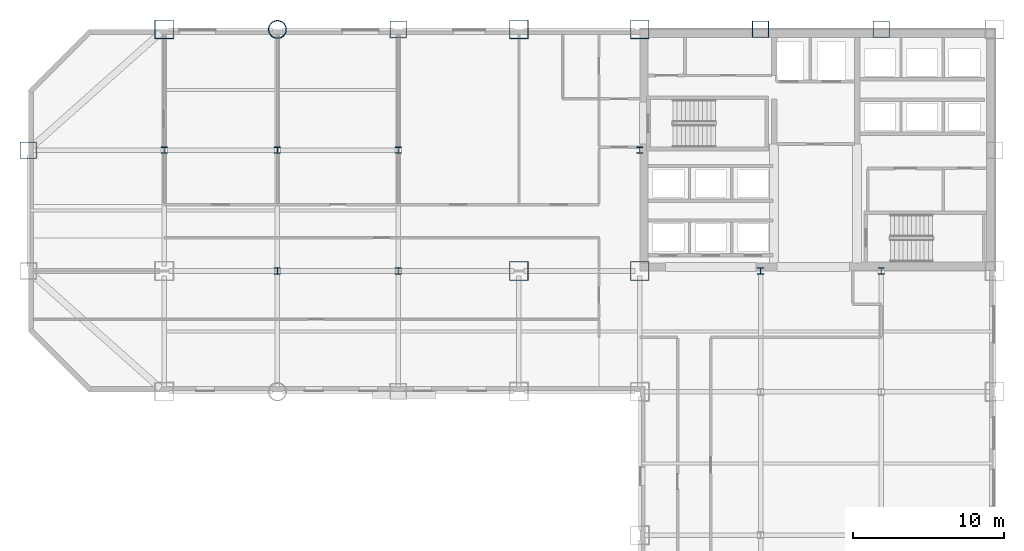
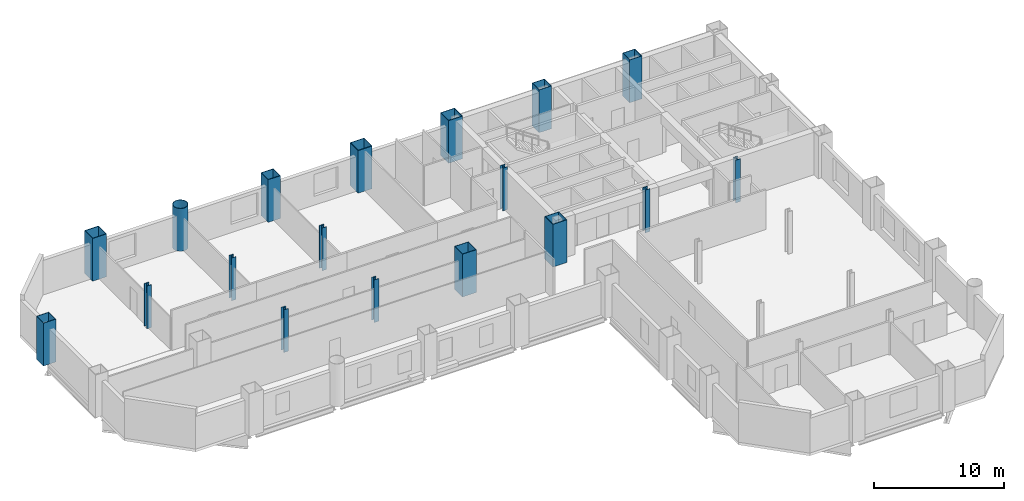
# One storey, part 2 of 9: 18 columns.
"""IFC4 building model written with IfcOpenShell, lengths in metres."""

from ifc_helpers import new_model, si_unit, direction, frame, origin, origin_2d, place, context, subcontext, project, spatial, hollow_rectangle, hollow_circle, i_section, extrude, material, material_profile, profile_set, type_object, element, save


model = new_model("IFC4")

# Units and contexts
model_context = context("Model", 3, precision=1e-05, world=origin(), true_north=direction((0.0, 1.0)))
body_context = subcontext(model_context, "Body", "Model", "MODEL_VIEW")
ifc_project = project(units=[si_unit("LENGTHUNIT", "METRE"), si_unit("AREAUNIT", "SQUARE_METRE"), si_unit("VOLUMEUNIT", "CUBIC_METRE"), si_unit("PLANEANGLEUNIT", "RADIAN"), si_unit("MASSUNIT", "GRAM", prefix="KILO")], contexts=[model_context])

# Site, building, storey
site_placement = place(None, origin())
site = spatial("IfcSite", under=ifc_project, at=site_placement, CompositionType="ELEMENT")
building_placement = place(site_placement, origin())
building = spatial("IfcBuilding", under=site, at=building_placement, Name="Qianrong Seaharbour Tower", CompositionType="ELEMENT")
storey_placement = place(building_placement, frame((0.0, 0.0, 48.199951171875)))
storey = spatial("IfcBuildingStorey", under=building, at=storey_placement, Name="L11", CompositionType="ELEMENT", Elevation=48.199951171875)

# Columns
ifc_material = material(Name="Structural steel SN490B", Category="steel")
ifc_material_profile_1 = material_profile(ifc_material, hollow_rectangle(XDim=1.25, YDim=1.25, WallThickness=0.044921875, at=origin_2d()), Name="BOX1250x1250x45")
ifc_profile_set_1 = profile_set([ifc_material_profile_1], Name="Structural steel SN490B")
column_type_1 = type_object("IfcColumnType", Name="COL-CFT-1250", PredefinedType="COLUMN", material=ifc_profile_set_1)
for number, where, z_axis, x_axis, name in (
    (1, (9.0, 52.0, 0.0), (0.0, 0.0, 1.0), (1.0, 0.0, 0.0), "L11 Column MC-2 at G2/GH"),
    (2, (32.5, 36.0, 0.0), (0.0, 0.0, 1.0), (1.0, 0.0, 0.0), "L11 Column MC-2 at G5/GF"),
    (3, (32.5, 52.0, 0.0), (0.0, 0.0, 1.0), (1.0, 0.0, 0.0), "L11 Column MC-2 at G5/GH"),
    (4, (40.5, 36.0, 0.0), (0.0, 0.0, 1.0), (1.0, 0.0, 0.0), "L11 Column MC-2 at G6/GF"),
    (5, (40.5, 52.0, 0.0), (0.0, 0.0, 1.0), (1.0, 0.0, 0.0), "L11 Column MC-2 at G6/GH"),
):
    element("IfcColumn", number, at=place(storey_placement, frame(where, z_axis=z_axis, x_axis=x_axis)), inside=storey, type_object=column_type_1, Name=name, PredefinedType="COLUMN", context=body_context, shape_type="SweptSolid", body=[
        extrude(hollow_rectangle(XDim=1.25, YDim=1.25, WallThickness=0.044921875, at=origin_2d()), origin(), (0.0, 0.0, 1.0), 4.0),
    ])
ifc_material_profile_2 = material_profile(ifc_material, hollow_circle(Radius=0.60009765625, WallThickness=0.0400390625, at=origin_2d()), Name="CHS1200x40")
ifc_profile_set_2 = profile_set([ifc_material_profile_2], Name="Structural steel SN490B")
column_type_2 = type_object("IfcColumnType", Name="COL-CHS-1200", PredefinedType="COLUMN", material=ifc_profile_set_2)
column_placement = place(storey_placement, frame((16.5, 52.0, 0.0), z_axis=(0.0, 0.0, 1.0), x_axis=(1.0, 0.0, 0.0)))
element("IfcColumn", 6, at=column_placement, inside=storey, type_object=column_type_2, Name="L11 Column CC-1 at G3/GH", PredefinedType="COLUMN", context=body_context, shape_type="SweptSolid", body=[
    extrude(hollow_circle(Radius=0.60009765625, WallThickness=0.0400390625, at=origin_2d()), origin(), (0.0, 0.0, 1.0), 4.0),
])
ifc_material_profile_3 = material_profile(ifc_material, i_section(OverallWidth=0.406982421875, OverallDepth=0.427978515625, WebThickness=0.02001953125, FlangeThickness=0.034912109375, FilletRadius=0.02197265625, at=origin_2d()), Name="H428x407x20x35")
ifc_profile_set_3 = profile_set([ifc_material_profile_3], Name="Structural steel SN490B")
column_type_3 = type_object("IfcColumnType", Name="COL-INT-H428", PredefinedType="COLUMN", material=ifc_profile_set_3)
for number, where, z_axis, x_axis, name in (
    (7, (9.0, 44.0, 0.0), (0.0, 0.0, 1.0), (1.0, 0.0, 0.0), "L11 Column IC-2 at G2/GG"),
    (8, (16.5, 36.0, 0.0), (0.0, 0.0, 1.0), (1.0, 0.0, 0.0), "L11 Column IC-2 at G3/GF"),
    (9, (16.5, 44.0, 0.0), (0.0, 0.0, 1.0), (1.0, 0.0, 0.0), "L11 Column IC-2 at G3/GG"),
    (10, (24.5, 36.0, 0.0), (0.0, 0.0, 1.0), (1.0, 0.0, 0.0), "L11 Column IC-2 at G4/GF"),
    (11, (24.5, 44.0, 0.0), (0.0, 0.0, 1.0), (1.0, 0.0, 0.0), "L11 Column IC-2 at G4/GG"),
    (12, (40.5, 44.0, 0.0), (0.0, 0.0, 1.0), (1.0, 0.0, 0.0), "L11 Column IC-2 at G6/GG"),
    (13, (48.5, 36.0, 0.0), (0.0, 0.0, 1.0), (1.0, 0.0, 0.0), "L11 Column IC-2 at G7/GF"),
    (14, (56.5, 36.0, 0.0), (0.0, 0.0, 1.0), (1.0, 0.0, 0.0), "L11 Column IC-2 at G8/GF"),
):
    element("IfcColumn", number, at=place(storey_placement, frame(where, z_axis=z_axis, x_axis=x_axis)), inside=storey, type_object=column_type_3, Name=name, PredefinedType="COLUMN", context=body_context, shape_type="SweptSolid", body=[
        extrude(i_section(OverallWidth=0.406982421875, OverallDepth=0.427978515625, WebThickness=0.02001953125, FlangeThickness=0.034912109375, FilletRadius=0.02197265625, at=origin_2d()), origin(), (0.0, 0.0, 1.0), 4.0),
    ])
ifc_material_profile_4 = material_profile(ifc_material, hollow_rectangle(XDim=1.10009765625, YDim=1.10009765625, WallThickness=0.0400390625, at=origin_2d()), Name="BOX1100x1100x40")
ifc_profile_set_4 = profile_set([ifc_material_profile_4], Name="Structural steel SN490B")
column_type_4 = type_object("IfcColumnType", Name="COL-PER-1100", PredefinedType="COLUMN", material=ifc_profile_set_4)
for number, where, z_axis, x_axis, name in (
    (15, (0.0, 44.0, 0.0), (0.0, 0.0, 1.0), (1.0, 0.0, 0.0), "L11 Column PC-1 at G1/GG"),
    (16, (24.5, 52.0, 0.0), (0.0, 0.0, 1.0), (1.0, 0.0, 0.0), "L11 Column PC-1 at G4/GH"),
    (17, (48.5, 52.0, 0.0), (0.0, 0.0, 1.0), (1.0, 0.0, 0.0), "L11 Column PC-1 at G7/GH"),
    (18, (56.5, 52.0, 0.0), (0.0, 0.0, 1.0), (1.0, 0.0, 0.0), "L11 Column PC-1 at G8/GH"),
):
    element("IfcColumn", number, at=place(storey_placement, frame(where, z_axis=z_axis, x_axis=x_axis)), inside=storey, type_object=column_type_4, Name=name, PredefinedType="COLUMN", context=body_context, shape_type="SweptSolid", body=[
        extrude(hollow_rectangle(XDim=1.10009765625, YDim=1.10009765625, WallThickness=0.0400390625, at=origin_2d()), origin(), (0.0, 0.0, 1.0), 4.0),
    ])

save(model, "model.ifc")
